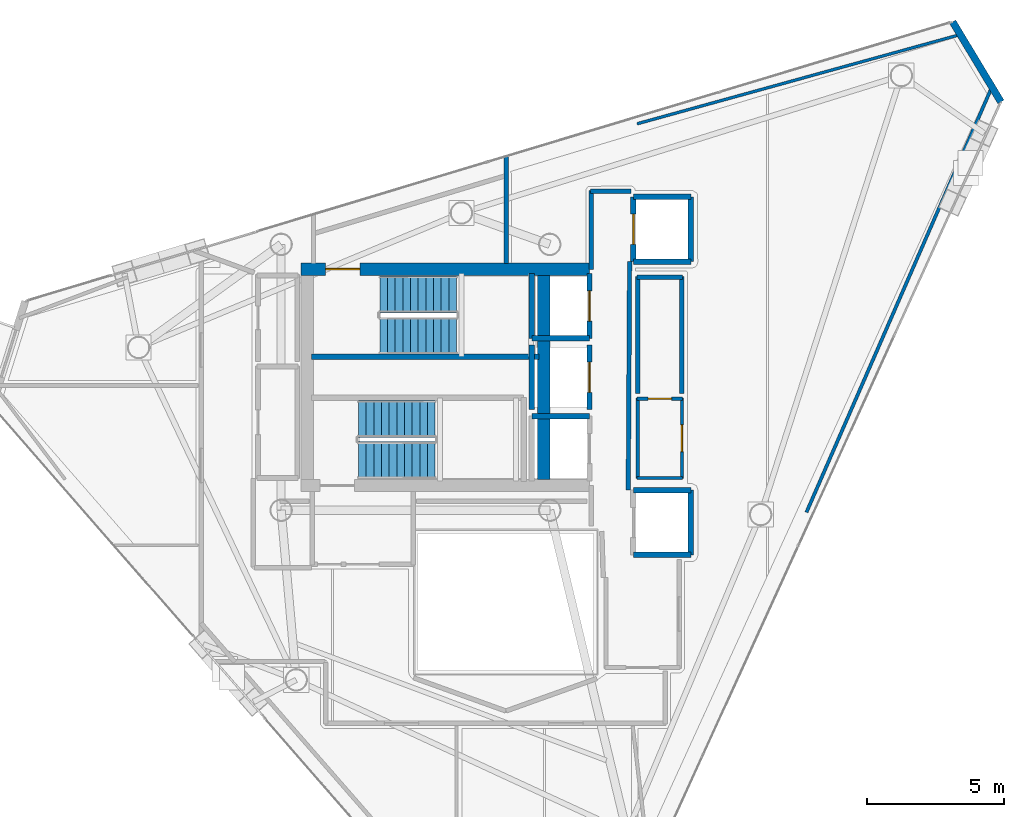
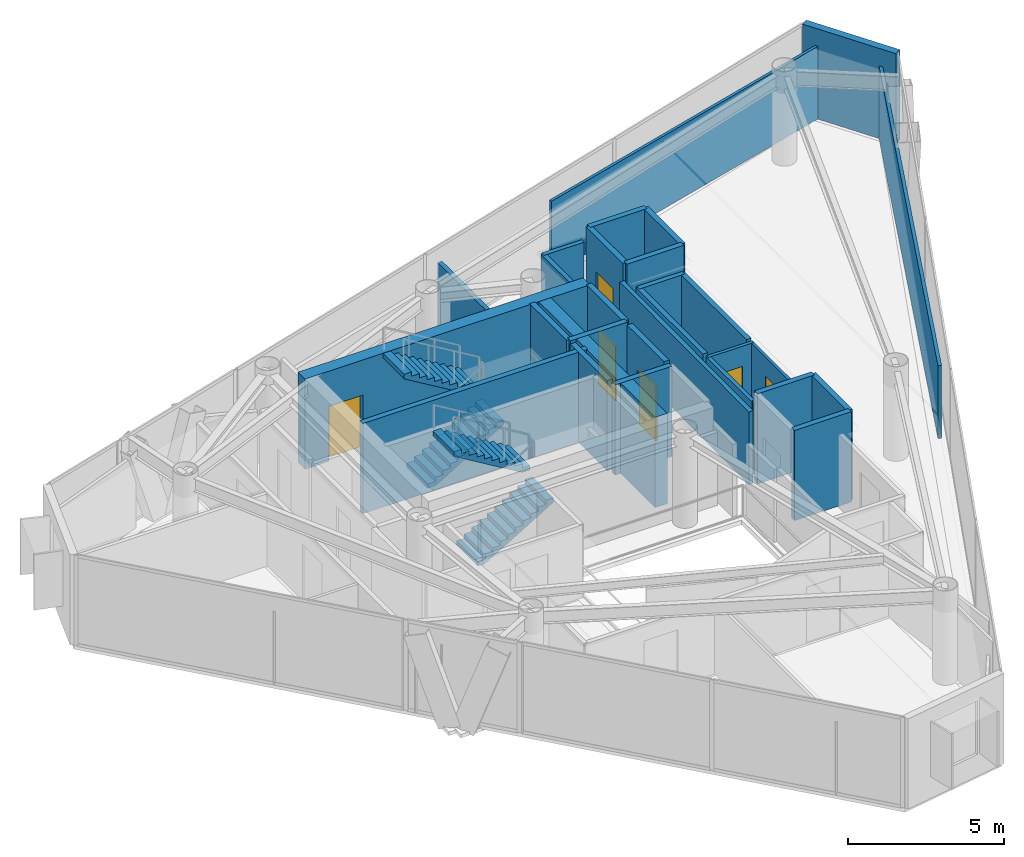
# One storey, part 17 of 19: 30 walls, 6 doors, 4 stair flights, 6 openings, 2 elements without a shape of their own.
"""IFC4 building model written with IfcOpenShell, lengths in metres."""

from ifc_helpers import new_model, si_unit, direction, frame, frame_2d, origin, place, context, subcontext, project, spatial, polyline, rectangle, outline, extrude, material, layer, layer_set, type_object, element, fill, aggregate, save


model = new_model("IFC4")

# Units and contexts
model_context = context("Model", 3, precision=1e-05, world=origin(), true_north=direction((0.0, 1.0)))
body_context = subcontext(model_context, "Body", "Model", "MODEL_VIEW")
ifc_project = project(units=[si_unit("LENGTHUNIT", "METRE"), si_unit("AREAUNIT", "SQUARE_METRE"), si_unit("VOLUMEUNIT", "CUBIC_METRE"), si_unit("PLANEANGLEUNIT", "RADIAN"), si_unit("MASSUNIT", "GRAM", prefix="KILO")], contexts=[model_context])

# Site, building, storey
site_placement = place(None, origin())
site = spatial("IfcSite", under=ifc_project, at=site_placement, CompositionType="ELEMENT")
building_placement = place(site_placement, origin())
building = spatial("IfcBuilding", under=site, at=building_placement, Name="Qianvela Tower", CompositionType="ELEMENT")
storey_placement = place(building_placement, frame((0.0, 0.0, 325.89990234375)))
storey = spatial("IfcBuildingStorey", under=building, at=storey_placement, Name="L84", CompositionType="ELEMENT", Elevation=325.89990234375)

# Wall
ifc_material_1 = material(Name="Terracotta Cladding on Concrete C40", Category="masonry")
ifc_layer_1 = layer(ifc_material_1, 0.260009765625)
ifc_layer_set_1 = layer_set([ifc_layer_1], Name="Terracotta Cladding on Concrete C40")
wall_type_1 = type_object("IfcWallType", Name="TERRACOTTA-WALL-260", PredefinedType="SOLIDWALL", material=ifc_layer_set_1)
wall_1_placement = place(storey_placement, frame((54.860595703125, 38.748046875, 0.0), z_axis=(0.0, 0.0, 1.0), x_axis=(-0.516431513538, 0.856328495278, 0.0)))
element("IfcWall", 1, at=wall_1_placement, inside=storey, type_object=wall_type_1, Name="L84 Terracotta Chamfer Facet Wall 1", PredefinedType="SOLIDWALL", context=body_context, shape_type="SweptSolid", body=[
    extrude(rectangle(XDim=3.410400390625, YDim=0.260009765625, at=frame_2d((1.705078125, 0.0))), origin(), (0.0, 0.0, 1.0), 3.52001953125),
])

# Wall, opening, door
ifc_material_2 = material(Name="Concrete C50", Category="concrete")
ifc_layer_2 = layer(ifc_material_2, 0.449951171875)
ifc_layer_set_2 = layer_set([ifc_layer_2], Name="Concrete C50")
wall_type_2 = type_object("IfcWallType", Name="WT-CORE-450", PredefinedType="SHEAR", material=ifc_layer_set_2)
wall_2_placement = place(storey_placement, frame((29.330078125, 32.64501953125, 0.0), z_axis=(0.0, 0.0, 1.0), x_axis=(1.0, 0.0, 0.0)))
wall_2 = element("IfcWall", 2, at=wall_2_placement, inside=storey, type_object=wall_type_2, Name="L84 North Core Shear Wall", PredefinedType="SHEAR", context=body_context, shape_type="SweptSolid", body=[
    extrude(rectangle(XDim=10.52001953125, YDim=0.449951171875, at=frame_2d((5.260009765625, 0.0))), origin(), (0.0, 0.0, 1.0), 3.52001953125),
])
opening_1_placement = place(wall_2_placement, frame((0.89501953125, 0.0, 0.0)))
opening_1 = element("IfcOpeningElement", 3, at=opening_1_placement, cuts=wall_2, Name="Opening D-ST1", PredefinedType="OPENING", context=body_context, shape_type="SweptSolid", body=[
    extrude(rectangle(XDim=1.25, YDim=2.14990234375, at=frame_2d((0.625, 1.074951171875))), frame((0.0, 0.23486328125, 0.0), z_axis=(0.0, -1.0, 0.0), x_axis=(1.0, 0.0, 0.0)), (0.0, 0.0, 1.0), 0.469970703125),
])
ifc_material_3 = material(Name="Galvanised Fire Steel Q355B", Category="steel")
door_type_1 = type_object("IfcDoorType", Name="DT-STAIR-FD90", OperationType="NOTDEFINED", PredefinedType="DOOR", material=ifc_material_3)
door_1_placement = place(opening_1_placement, origin())
door_1 = element("IfcDoor", 4, at=door_1_placement, inside=storey, type_object=door_type_1, Name="L84 Stair ST-1 Exit Door", OperationType="SINGLE_SWING_RIGHT", OverallHeight=2.14990234375, OverallWidth=1.25, PredefinedType="DOOR", context=body_context, shape_type="SweptSolid", body=[
    extrude(rectangle(XDim=1.25, YDim=2.14990234375, at=frame_2d((0.625, 1.074951171875))), frame((0.0, 0.02490234375, 0.0), z_axis=(0.0, -1.0, 0.0), x_axis=(1.0, 0.0, 0.0)), (0.0, 0.0, 1.0), 0.050048828125),
])
fill(opening_1, door_1)

# Walls
wall_3_placement = place(storey_placement, frame((38.179931640625, 24.97998046875, 0.0), z_axis=(0.0, 0.0, 1.0), x_axis=(0.0, 1.0, 0.0)))
element("IfcWall", 5, at=wall_3_placement, inside=storey, type_object=wall_type_2, Name="L84 East Spine Core Shear Wall", PredefinedType="SHEAR", context=body_context, shape_type="SweptSolid", body=[
    extrude(rectangle(XDim=7.43994140625, YDim=0.449951171875, at=frame_2d((3.719970703125, 0.0))), origin(), (0.0, 0.0, 1.0), 3.52001953125),
])
ifc_material_4 = material(Name="Fire-Rated Gypsum and Concrete Block", Category="concrete")
ifc_layer_3 = layer(ifc_material_4, 0.159912109375)
ifc_layer_set_3 = layer_set([ifc_layer_3], Name="Fire-Rated Gypsum and Concrete Block")
wall_type_3 = type_object("IfcWallType", Name="WT-CORR-160", PredefinedType="PARTITIONING", material=ifc_layer_set_3)
wall_4_placement = place(storey_placement, frame((36.819091796875, 36.783203125, 0.0), z_axis=(0.0, 0.0, 1.0), x_axis=(0.0, -1.0, 0.0)))
element("IfcWall", 6, at=wall_4_placement, inside=storey, type_object=wall_type_3, Name="L84 Partition 2", PredefinedType="PARTITIONING", context=body_context, shape_type="SweptSolid", body=[
    extrude(rectangle(XDim=3.92529296875, YDim=0.159912109375, at=frame_2d((1.962646484375, 0.0))), origin(), (0.0, 0.0, 1.0), 2.840087890625),
])
wall_5_placement = place(storey_placement, frame((39.910888671875, 32.639892578125, 0.0), z_axis=(0.0, 0.0, 1.0), x_axis=(0.0, 1.0, 0.0)))
element("IfcWall", 7, at=wall_5_placement, inside=storey, type_object=wall_type_3, Name="L84 Partition 12", PredefinedType="PARTITIONING", context=body_context, shape_type="SweptSolid", body=[
    extrude(rectangle(XDim=2.880126953125, YDim=0.159912109375, at=frame_2d((1.43994140625, 0.0))), origin(), (0.0, 0.0, 1.0), 2.840087890625),
])
wall_6_placement = place(storey_placement, frame((39.8798828125, 35.489013671875, 0.0), z_axis=(0.0, 0.0, 1.0), x_axis=(1.0, 0.0, 0.0)))
element("IfcWall", 8, at=wall_6_placement, inside=storey, type_object=wall_type_3, Name="L84 Partition 13", PredefinedType="PARTITIONING", context=body_context, shape_type="SweptSolid", body=[
    extrude(rectangle(XDim=1.480224609375, YDim=0.159912109375, at=frame_2d((0.740234375, 0.0))), origin(), (0.0, 0.0, 1.0), 2.840087890625),
])
wall_7_placement = place(storey_placement, frame((41.3134765625, 32.919921875, 0.0), z_axis=(0.0, 0.0, 1.0), x_axis=(-0.005942518022, -0.999982343084, 0.0)))
element("IfcWall", 9, at=wall_7_placement, inside=storey, type_object=wall_type_3, Name="L84 Partition 14 seg 2", PredefinedType="PARTITIONING", context=body_context, shape_type="SweptSolid", body=[
    extrude(rectangle(XDim=8.340087890625, YDim=0.159912109375, at=frame_2d((4.169921875, 0.0))), origin(), (0.0, 0.0, 1.0), 2.840087890625),
])
ifc_material_5 = material(Name="Lightweight Gypsum Room Partition")
ifc_layer_4 = layer(ifc_material_5, 0.10498046875)
ifc_layer_set_4 = layer_set([ifc_layer_4], Name="Lightweight Gypsum Room Partition")
wall_type_4 = type_object("IfcWallType", Name="WT-PART-105", PredefinedType="PARTITIONING", material=ifc_layer_set_4)
wall_8_placement = place(storey_placement, frame((43.25, 25.031005859375, 0.0), z_axis=(0.0, 0.0, 1.0), x_axis=(-1.0, 0.0, 0.0)))
element("IfcWall", 10, at=wall_8_placement, inside=storey, type_object=wall_type_4, Name="L84 Partition 19", PredefinedType="PARTITIONING", context=body_context, shape_type="SweptSolid", body=[
    extrude(rectangle(XDim=1.669921875, YDim=0.10498046875, at=frame_2d((0.8349609375, 0.0))), origin(), (0.0, 0.0, 1.0), 2.840087890625),
])

# Wall, opening, door
wall_9_placement = place(storey_placement, frame((43.218994140625, 27.949951171875, 0.0), z_axis=(0.0, 0.0, 1.0), x_axis=(0.0, -1.0, 0.0)))
wall_9 = element("IfcWall", 11, at=wall_9_placement, inside=storey, type_object=wall_type_4, Name="L84 Partition 22", PredefinedType="PARTITIONING", context=body_context, shape_type="SweptSolid", body=[
    extrude(rectangle(XDim=2.949951171875, YDim=0.10498046875, at=frame_2d((1.47509765625, 0.0))), origin(), (0.0, 0.0, 1.0), 2.840087890625),
])
opening_2_placement = place(wall_9_placement, frame((0.985107421875, 0.0, 0.0)))
opening_2 = element("IfcOpeningElement", 12, at=opening_2_placement, cuts=wall_9, Name="Opening D-RM1", PredefinedType="OPENING", context=body_context, shape_type="SweptSolid", body=[
    extrude(rectangle(XDim=0.97998046875, YDim=2.10009765625, at=frame_2d((0.489990234375, 1.050048828125))), frame((0.0, 0.0625, 0.0), z_axis=(0.0, -1.0, 0.0), x_axis=(1.0, 0.0, 0.0)), (0.0, 0.0, 1.0), 0.125),
])
ifc_material_6 = material(Name="Solid Core Acoustic Timber Fire Door", Category="wood")
door_type_2 = type_object("IfcDoorType", Name="DT-ROOM-FD60", OperationType="NOTDEFINED", PredefinedType="DOOR", material=ifc_material_6)
door_2_placement = place(opening_2_placement, origin())
door_2 = element("IfcDoor", 13, at=door_2_placement, inside=storey, type_object=door_type_2, Name="L84 Door L84 Cleaner Store to Print Copy Kiosk L84-04", OperationType="SINGLE_SWING_RIGHT", OverallHeight=2.10009765625, OverallWidth=0.97998046875, PredefinedType="DOOR", context=body_context, shape_type="SweptSolid", body=[
    extrude(rectangle(XDim=0.97998046875, YDim=2.10009765625, at=frame_2d((0.489990234375, 1.050048828125))), frame((0.0, 0.02490234375, 0.0), z_axis=(0.0, -1.0, 0.0), x_axis=(1.0, 0.0, 0.0)), (0.0, 0.0, 1.0), 0.050048828125),
])
fill(opening_2, door_2)

# Wall
wall_10_placement = place(storey_placement, frame((41.585205078125, 37.94873046875, 0.0), z_axis=(0.0, 0.0, 1.0), x_axis=(0.963958975168, 0.266050924059, 0.0)))
element("IfcWall", 14, at=wall_10_placement, inside=storey, type_object=wall_type_4, Name="L84 Partition 91 seg 1", PredefinedType="PARTITIONING", context=body_context, shape_type="SweptSolid", body=[
    extrude(rectangle(XDim=12.255126953125, YDim=0.10498046875, at=frame_2d((6.12744140625, 0.0))), origin(), (0.0, 0.0, 1.0), 2.840087890625),
])

# Wall, opening, door
ifc_material_7 = material(Name="Insulated Gypsum Stud Partition")
ifc_layer_5 = layer(ifc_material_7, 0.1201171875)
ifc_layer_set_5 = layer_set([ifc_layer_5], Name="Insulated Gypsum Stud Partition")
wall_type_5 = type_object("IfcWallType", Name="WT-PART-120", PredefinedType="PARTITIONING", material=ifc_layer_set_5)
wall_11_placement = place(storey_placement, frame((41.580078125, 27.9189453125, 0.0), z_axis=(0.0, 0.0, 1.0), x_axis=(1.0, 0.0, 0.0)))
wall_11 = element("IfcWall", 15, at=wall_11_placement, inside=storey, type_object=wall_type_5, Name="L84 Partition 21", PredefinedType="PARTITIONING", context=body_context, shape_type="SweptSolid", body=[
    extrude(rectangle(XDim=1.669921875, YDim=0.1201171875, at=frame_2d((0.8349609375, 0.0))), origin(), (0.0, 0.0, 1.0), 2.840087890625),
])
opening_3_placement = place(wall_11_placement, frame((0.405029296875, 0.0, 0.0)))
opening_3 = element("IfcOpeningElement", 16, at=opening_3_placement, cuts=wall_11, Name="Opening D-WC1", PredefinedType="OPENING", context=body_context, shape_type="SweptSolid", body=[
    extrude(rectangle(XDim=0.860107421875, YDim=2.050048828125, at=frame_2d((0.43017578125, 1.02490234375))), frame((0.0, 0.070068359375, 0.0), z_axis=(0.0, -1.0, 0.0), x_axis=(1.0, 0.0, 0.0)), (0.0, 0.0, 1.0), 0.14013671875),
])
ifc_material_8 = material(Name="Moisture-Sealed Acoustic Timber Door", Category="wood")
door_type_3 = type_object("IfcDoorType", Name="DT-WC-860", OperationType="NOTDEFINED", PredefinedType="DOOR", material=ifc_material_8)
door_3_placement = place(opening_3_placement, origin())
door_3 = element("IfcDoor", 17, at=door_3_placement, inside=storey, type_object=door_type_3, Name="L84 Door L84 Accessible WC to L84 Cleaner Store", OperationType="SINGLE_SWING_LEFT", OverallHeight=2.050048828125, OverallWidth=0.860107421875, PredefinedType="DOOR", context=body_context, shape_type="SweptSolid", body=[
    extrude(rectangle(XDim=0.860107421875, YDim=2.050048828125, at=frame_2d((0.43017578125, 1.02490234375))), frame((0.0, 0.02490234375, 0.0), z_axis=(0.0, -1.0, 0.0), x_axis=(1.0, 0.0, 0.0)), (0.0, 0.0, 1.0), 0.050048828125),
])
fill(opening_3, door_3)

# Walls
wall_12_placement = place(storey_placement, frame((54.539794921875, 39.31201171875, 0.0), z_axis=(0.0, 0.0, 1.0), x_axis=(-0.399713898307, -0.916639950853, 0.0)))
element("IfcWall", 18, at=wall_12_placement, inside=storey, type_object=wall_type_5, Name="L84 Partition 93 seg 1", PredefinedType="PARTITIONING", context=body_context, shape_type="SweptSolid", body=[
    extrude(rectangle(XDim=16.95068359375, YDim=0.1201171875, at=frame_2d((8.475341796875, 0.0))), origin(), (0.0, 0.0, 1.0), 2.840087890625),
])
ifc_material_9 = material(Name="Moisture-Resistant Acoustic Plumbing Wall")
ifc_layer_6 = layer(ifc_material_9, 0.175048828125)
ifc_layer_set_6 = layer_set([ifc_layer_6], Name="Moisture-Resistant Acoustic Plumbing Wall")
wall_type_6 = type_object("IfcWallType", Name="WT-PLUMB-175", PredefinedType="PLUMBINGWALL", material=ifc_layer_set_6)
wall_13_placement = place(storey_placement, frame((41.611083984375, 28.110107421875, 0.0), z_axis=(0.0, 0.0, 1.0), x_axis=(0.0, 1.0, 0.0)))
element("IfcWall", 19, at=wall_13_placement, inside=storey, type_object=wall_type_6, Name="L84 Partition 24", PredefinedType="PLUMBINGWALL", context=body_context, shape_type="SweptSolid", body=[
    extrude(rectangle(XDim=4.269775390625, YDim=0.175048828125, at=frame_2d((2.134765625, 0.0))), origin(), (0.0, 0.0, 1.0), 2.840087890625),
])
wall_14_placement = place(storey_placement, frame((41.580078125, 32.34912109375, 0.0), z_axis=(0.0, 0.0, 1.0), x_axis=(1.0, 0.0, 0.0)))
element("IfcWall", 20, at=wall_14_placement, inside=storey, type_object=wall_type_6, Name="L84 Partition 25", PredefinedType="PLUMBINGWALL", context=body_context, shape_type="SweptSolid", body=[
    extrude(rectangle(XDim=1.669921875, YDim=0.175048828125, at=frame_2d((0.8349609375, 0.0))), origin(), (0.0, 0.0, 1.0), 2.840087890625),
])
wall_15_placement = place(storey_placement, frame((43.218994140625, 32.3798828125, 0.0), z_axis=(0.0, 0.0, 1.0), x_axis=(0.0, -1.0, 0.0)))
element("IfcWall", 21, at=wall_15_placement, inside=storey, type_object=wall_type_6, Name="L84 Partition 26", PredefinedType="PLUMBINGWALL", context=body_context, shape_type="SweptSolid", body=[
    extrude(rectangle(XDim=4.269775390625, YDim=0.175048828125, at=frame_2d((2.134765625, 0.0))), origin(), (0.0, 0.0, 1.0), 2.840087890625),
])
ifc_material_10 = material(Name="Acoustic Double Gypsum Stud Partition")
ifc_layer_7 = layer(ifc_material_10, 0.139892578125)
ifc_layer_set_7 = layer_set([ifc_layer_7], Name="Acoustic Double Gypsum Stud Partition")
wall_type_7 = type_object("IfcWallType", Name="WT-ROOM-140", PredefinedType="PARTITIONING", material=ifc_layer_set_7)
wall_16_placement = place(storey_placement, frame((41.611083984375, 25.0, 0.0), z_axis=(0.0, 0.0, 1.0), x_axis=(0.0, 1.0, 0.0)))
element("IfcWall", 22, at=wall_16_placement, inside=storey, type_object=wall_type_7, Name="L84 Partition 20", PredefinedType="PARTITIONING", context=body_context, shape_type="SweptSolid", body=[
    extrude(rectangle(XDim=2.949951171875, YDim=0.139892578125, at=frame_2d((1.47509765625, 0.0))), origin(), (0.0, 0.0, 1.0), 2.840087890625),
])
ifc_material_11 = material(Name="Concrete C50", Category="concrete")
ifc_layer_8 = layer(ifc_material_11, 0.199951171875)
ifc_layer_set_8 = layer_set([ifc_layer_8], Name="Concrete C50")
wall_type_8 = type_object("IfcWallType", Name="WT-SHAFT-200", PredefinedType="SOLIDWALL", material=ifc_layer_set_8)
wall_17_placement = place(storey_placement, frame((29.699951171875, 29.449951171875, 0.0), z_axis=(0.0, 0.0, 1.0), x_axis=(1.0, 0.0, 0.0)))
element("IfcWall", 23, at=wall_17_placement, inside=storey, type_object=wall_type_8, Name="L84 Stair ST-1 South Wall", PredefinedType="SOLIDWALL", context=body_context, shape_type="SweptSolid", body=[
    extrude(rectangle(XDim=8.300048828125, YDim=0.199951171875, at=frame_2d((4.14990234375, 0.0))), origin(), (0.0, 0.0, 1.0), 3.52001953125),
])

# Wall, opening, door
wall_18_placement = place(storey_placement, frame((39.85009765625, 30.1201171875, 0.0), z_axis=(0.0, 0.0, 1.0), x_axis=(0.0, 1.0, 0.0)))
wall_18 = element("IfcWall", 24, at=wall_18_placement, inside=storey, type_object=wall_type_8, Name="L84 Lift FL-1 E Shaft Wall", PredefinedType="SOLIDWALL", context=body_context, shape_type="SweptSolid", body=[
    extrude(rectangle(XDim=2.35986328125, YDim=0.199951171875, at=frame_2d((1.179931640625, 0.0))), origin(), (0.0, 0.0, 1.0), 3.52001953125),
])
opening_4_placement = place(wall_18_placement, frame((0.6298828125, 0.0, 0.0)))
opening_4 = element("IfcOpeningElement", 25, at=opening_4_placement, cuts=wall_18, Name="Opening LD-01", PredefinedType="OPENING", context=body_context, shape_type="SweptSolid", body=[
    extrude(rectangle(XDim=1.10009765625, YDim=2.14990234375, at=frame_2d((0.550048828125, 1.074951171875))), frame((0.0, 0.10986328125, 0.0), z_axis=(0.0, -1.0, 0.0), x_axis=(1.0, 0.0, 0.0)), (0.0, 0.0, 1.0), 0.219970703125),
])
ifc_material_12 = material(Name="Brushed Stainless Steel Lift Landing Door", Category="steel")
door_type_4 = type_object("IfcDoorType", Name="DT-LIFT-SLIDE-1100", OperationType="SLIDING_TO_LEFT", PredefinedType="DOOR", material=ifc_material_12)
door_4_placement = place(opening_4_placement, origin())
door_4 = element("IfcDoor", 26, at=door_4_placement, inside=storey, type_object=door_type_4, Name="L84 Lift FL-1 Sliding Landing Door", OperationType="SLIDING_TO_LEFT", OverallHeight=2.14990234375, OverallWidth=1.10009765625, PredefinedType="DOOR", context=body_context, shape_type="SweptSolid", body=[
    extrude(rectangle(XDim=1.10009765625, YDim=2.14990234375, at=frame_2d((0.550048828125, 1.074951171875))), frame((0.0, 0.02490234375, 0.0), z_axis=(0.0, -1.0, 0.0), x_axis=(1.0, 0.0, 0.0)), (0.0, 0.0, 1.0), 0.050048828125),
])
fill(opening_4, door_4)

# Walls
wall_19_placement = place(storey_placement, frame((37.75, 30.1201171875, 0.0), z_axis=(0.0, 0.0, 1.0), x_axis=(0.0, 1.0, 0.0)))
element("IfcWall", 27, at=wall_19_placement, inside=storey, type_object=wall_type_8, Name="L84 Lift FL-1 W Shaft Wall", PredefinedType="SOLIDWALL", context=body_context, shape_type="SweptSolid", body=[
    extrude(rectangle(XDim=2.35986328125, YDim=0.199951171875, at=frame_2d((1.179931640625, 0.0))), origin(), (0.0, 0.0, 1.0), 3.52001953125),
])
for number, where, z_axis, x_axis, name in (
    (28, (37.75, 30.1201171875, 0.0), (0.0, 0.0, 1.0), (1.0, 0.0, 0.0), "L84 Lift FL-1 S Shaft Wall"),
    (29, (37.75, 27.280029296875, 0.0), (0.0, 0.0, 1.0), (1.0, 0.0, 0.0), "L84 Lift FL-2 N Shaft Wall"),
):
    element("IfcWall", number, at=place(storey_placement, frame(where, z_axis=z_axis, x_axis=x_axis)), inside=storey, type_object=wall_type_8, Name=name, PredefinedType="SOLIDWALL", context=body_context, shape_type="SweptSolid", body=[
        extrude(rectangle(XDim=2.10009765625, YDim=0.199951171875, at=frame_2d((1.050048828125, 0.0))), origin(), (0.0, 0.0, 1.0), 3.52001953125),
    ])

# Wall, opening, door
wall_20_placement = place(storey_placement, frame((39.85009765625, 27.52001953125, 0.0), z_axis=(0.0, 0.0, 1.0), x_axis=(0.0, 1.0, 0.0)))
wall_20 = element("IfcWall", 30, at=wall_20_placement, inside=storey, type_object=wall_type_8, Name="L84 Lift PL-H1 E Shaft Wall", PredefinedType="SOLIDWALL", context=body_context, shape_type="SweptSolid", body=[
    extrude(rectangle(XDim=2.35986328125, YDim=0.199951171875, at=frame_2d((1.179931640625, 0.0))), origin(), (0.0, 0.0, 1.0), 3.52001953125),
])
opening_5_placement = place(wall_20_placement, frame((0.6298828125, 0.0, 0.0)))
opening_5 = element("IfcOpeningElement", 31, at=opening_5_placement, cuts=wall_20, Name="Opening LD-01", PredefinedType="OPENING", context=body_context, shape_type="SweptSolid", body=[
    extrude(rectangle(XDim=1.10009765625, YDim=2.14990234375, at=frame_2d((0.550048828125, 1.074951171875))), frame((0.0, 0.10986328125, 0.0), z_axis=(0.0, -1.0, 0.0), x_axis=(1.0, 0.0, 0.0)), (0.0, 0.0, 1.0), 0.219970703125),
])
door_5_placement = place(opening_5_placement, origin())
door_5 = element("IfcDoor", 32, at=door_5_placement, inside=storey, type_object=door_type_4, Name="L84 Lift PL-H1 Sliding Landing Door", OperationType="SLIDING_TO_LEFT", OverallHeight=2.14990234375, OverallWidth=1.10009765625, PredefinedType="DOOR", context=body_context, shape_type="SweptSolid", body=[
    extrude(rectangle(XDim=1.10009765625, YDim=2.14990234375, at=frame_2d((0.550048828125, 1.074951171875))), frame((0.0, 0.02490234375, 0.0), z_axis=(0.0, -1.0, 0.0), x_axis=(1.0, 0.0, 0.0)), (0.0, 0.0, 1.0), 0.050048828125),
])
fill(opening_5, door_5)

# Walls
wall_21_placement = place(storey_placement, frame((37.75, 27.52001953125, 0.0), z_axis=(0.0, 0.0, 1.0), x_axis=(0.0, 1.0, 0.0)))
element("IfcWall", 33, at=wall_21_placement, inside=storey, type_object=wall_type_8, Name="L84 Lift PL-H1 W Shaft Wall", PredefinedType="SOLIDWALL", context=body_context, shape_type="SweptSolid", body=[
    extrude(rectangle(XDim=2.35986328125, YDim=0.199951171875, at=frame_2d((1.179931640625, 0.0))), origin(), (0.0, 0.0, 1.0), 3.52001953125),
])
wall_22_placement = place(storey_placement, frame((43.550048828125, 22.219970703125, 0.0), z_axis=(0.0, 0.0, 1.0), x_axis=(0.0, 1.0, 0.0)))
element("IfcWall", 34, at=wall_22_placement, inside=storey, type_object=wall_type_8, Name="L84 Lift PL-H2 E Shaft Wall", PredefinedType="SOLIDWALL", context=body_context, shape_type="SweptSolid", body=[
    extrude(rectangle(XDim=2.360107421875, YDim=0.199951171875, at=frame_2d((1.18017578125, 0.0))), origin(), (0.0, 0.0, 1.0), 3.52001953125),
])
for number, where, z_axis, x_axis, name in (
    (35, (41.449951171875, 24.580078125, 0.0), (0.0, 0.0, 1.0), (1.0, 0.0, 0.0), "L84 Lift PL-H2 N Shaft Wall"),
    (36, (41.449951171875, 22.219970703125, 0.0), (0.0, 0.0, 1.0), (1.0, 0.0, 0.0), "L84 Lift PL-H2 S Shaft Wall"),
):
    element("IfcWall", number, at=place(storey_placement, frame(where, z_axis=z_axis, x_axis=x_axis)), inside=storey, type_object=wall_type_8, Name=name, PredefinedType="SOLIDWALL", context=body_context, shape_type="SweptSolid", body=[
        extrude(rectangle(XDim=2.10009765625, YDim=0.199951171875, at=frame_2d((1.050048828125, 0.0))), origin(), (0.0, 0.0, 1.0), 3.52001953125),
    ])
wall_23_placement = place(storey_placement, frame((43.550048828125, 32.919921875, 0.0), z_axis=(0.0, 0.0, 1.0), x_axis=(0.0, 1.0, 0.0)))
element("IfcWall", 37, at=wall_23_placement, inside=storey, type_object=wall_type_8, Name="L84 Lift PL-H3 E Shaft Wall", PredefinedType="SOLIDWALL", context=body_context, shape_type="SweptSolid", body=[
    extrude(rectangle(XDim=2.360107421875, YDim=0.199951171875, at=frame_2d((1.18017578125, 0.0))), origin(), (0.0, 0.0, 1.0), 3.52001953125),
])

# Wall, opening, door
wall_24_placement = place(storey_placement, frame((41.449951171875, 32.919921875, 0.0), z_axis=(0.0, 0.0, 1.0), x_axis=(0.0, 1.0, 0.0)))
wall_24 = element("IfcWall", 38, at=wall_24_placement, inside=storey, type_object=wall_type_8, Name="L84 Lift PL-H3 W Shaft Wall", PredefinedType="SOLIDWALL", context=body_context, shape_type="SweptSolid", body=[
    extrude(rectangle(XDim=2.360107421875, YDim=0.199951171875, at=frame_2d((1.18017578125, 0.0))), origin(), (0.0, 0.0, 1.0), 3.52001953125),
])
opening_6_placement = place(wall_24_placement, frame((0.6298828125, 0.0, 0.0)))
opening_6 = element("IfcOpeningElement", 39, at=opening_6_placement, cuts=wall_24, Name="Opening LD-01", PredefinedType="OPENING", context=body_context, shape_type="SweptSolid", body=[
    extrude(rectangle(XDim=1.10009765625, YDim=2.14990234375, at=frame_2d((0.550048828125, 1.074951171875))), frame((0.0, 0.10986328125, 0.0), z_axis=(0.0, -1.0, 0.0), x_axis=(1.0, 0.0, 0.0)), (0.0, 0.0, 1.0), 0.219970703125),
])
door_6_placement = place(opening_6_placement, origin())
door_6 = element("IfcDoor", 40, at=door_6_placement, inside=storey, type_object=door_type_4, Name="L84 Lift PL-H3 Sliding Landing Door", OperationType="SLIDING_TO_LEFT", OverallHeight=2.14990234375, OverallWidth=1.10009765625, PredefinedType="DOOR", context=body_context, shape_type="SweptSolid", body=[
    extrude(rectangle(XDim=1.10009765625, YDim=2.14990234375, at=frame_2d((0.550048828125, 1.074951171875))), frame((0.0, 0.02490234375, 0.0), z_axis=(0.0, -1.0, 0.0), x_axis=(1.0, 0.0, 0.0)), (0.0, 0.0, 1.0), 0.050048828125),
])
fill(opening_6, door_6)

# Walls
for number, where, z_axis, x_axis, name in (
    (41, (41.449951171875, 35.280029296875, 0.0), (0.0, 0.0, 1.0), (1.0, 0.0, 0.0), "L84 Lift PL-H3 N Shaft Wall"),
    (42, (41.449951171875, 32.919921875, 0.0), (0.0, 0.0, 1.0), (1.0, 0.0, 0.0), "L84 Lift PL-H3 S Shaft Wall"),
):
    element("IfcWall", number, at=place(storey_placement, frame(where, z_axis=z_axis, x_axis=x_axis)), inside=storey, type_object=wall_type_8, Name=name, PredefinedType="SOLIDWALL", context=body_context, shape_type="SweptSolid", body=[
        extrude(rectangle(XDim=2.10009765625, YDim=0.199951171875, at=frame_2d((1.050048828125, 0.0))), origin(), (0.0, 0.0, 1.0), 3.52001953125),
    ])

# Stair, stair flights
ifc_material_13 = material(Name="Concrete C40", Category="concrete")
stair_type = type_object("IfcStairType", Name="ST-DOGLEG-1350-R168-N22", PredefinedType="HALF_TURN_STAIR", material=ifc_material_13)
stair_1_placement = place(storey_placement, origin())
stair_1 = element("IfcStair", 43, at=stair_1_placement, inside=storey, type_object=stair_type, Name="L84 Smoke-Proof Core Stair ST-1", PredefinedType="HALF_TURN_STAIR")
ifc_material_14 = material(Name="Concrete C40", Category="concrete")
stair_flight_type = type_object("IfcStairFlightType", Name="STF-STRAIGHT-R168-P11", PredefinedType="STRAIGHT", material=ifc_material_14)
stair_flight_1_placement = place(storey_placement, frame((32.199951171875, 30.215087890625, 0.0), z_axis=(0.0, 0.0, 1.0), x_axis=(1.0, 0.0, 0.0)))
stair_flight_1 = element("IfcStairFlight", 44, at=stair_flight_1_placement, type_object=stair_flight_type, Name="ST-1 flight 1", NumberOfRisers=11, NumberOfTreads=10, PredefinedType="STRAIGHT", RiserHeight=0.168181818, TreadLength=0.28, context=body_context, shape_type="SweptSolid", body=[
    extrude(outline(polyline([(0.0, 0.0), (0.0, 0.168212890625), (0.280029296875, 0.168212890625), (0.280029296875, 0.33642578125), (0.56005859375, 0.33642578125), (0.56005859375, 0.504638671875), (0.840087890625, 0.504638671875), (0.840087890625, 0.672607421875), (1.1201171875, 0.672607421875), (1.1201171875, 0.8408203125), (1.39990234375, 0.8408203125), (1.39990234375, 1.009033203125), (1.679931640625, 1.009033203125), (1.679931640625, 1.17724609375), (1.9599609375, 1.17724609375), (1.9599609375, 1.345458984375), (2.239990234375, 1.345458984375), (2.239990234375, 1.513671875), (2.52001953125, 1.513671875), (2.52001953125, 1.681884765625), (2.800048828125, 1.681884765625), (2.800048828125, 1.85009765625), (2.800048828125, 1.5068359375), (0.291015625, 0.0), (0.0, 0.0)])), frame((0.0, 0.675048828125, 0.0), z_axis=(0.0, -1.0, 0.0), x_axis=(1.0, 0.0, 0.0)), (0.0, 0.0, 1.0), 1.35009765625),
])
stair_flight_2_placement = place(storey_placement, frame((35.0, 31.72509765625, 1.85009765625), z_axis=(0.0, 0.0, 1.0), x_axis=(-1.0, 0.0, 0.0)))
stair_flight_2 = element("IfcStairFlight", 45, at=stair_flight_2_placement, type_object=stair_flight_type, Name="ST-1 flight 2", NumberOfRisers=11, NumberOfTreads=10, PredefinedType="STRAIGHT", RiserHeight=0.168181818, TreadLength=0.28, context=body_context, shape_type="SweptSolid", body=[
    extrude(outline(polyline([(0.0, 0.0), (0.0, 0.168212890625), (0.280029296875, 0.168212890625), (0.280029296875, 0.33642578125), (0.56005859375, 0.33642578125), (0.56005859375, 0.504638671875), (0.840087890625, 0.504638671875), (0.840087890625, 0.672607421875), (1.1201171875, 0.672607421875), (1.1201171875, 0.8408203125), (1.39990234375, 0.8408203125), (1.39990234375, 1.009033203125), (1.679931640625, 1.009033203125), (1.679931640625, 1.17724609375), (1.9599609375, 1.17724609375), (1.9599609375, 1.345458984375), (2.239990234375, 1.345458984375), (2.239990234375, 1.513671875), (2.52001953125, 1.513671875), (2.52001953125, 1.681884765625), (2.800048828125, 1.681884765625), (2.800048828125, 1.85009765625), (2.800048828125, 1.5068359375), (0.291015625, 0.0), (0.0, 0.0)])), frame((0.0, 0.675048828125, 0.0), z_axis=(0.0, -1.0, 0.0), x_axis=(1.0, 0.0, 0.0)), (0.0, 0.0, 1.0), 1.35009765625),
])
aggregate(stair_1, [stair_flight_1, stair_flight_2])

stair_2_placement = place(storey_placement, origin())
stair_2 = element("IfcStair", 46, at=stair_2_placement, inside=storey, type_object=stair_type, Name="L84 Smoke-Proof Core Stair ST-2", PredefinedType="HALF_TURN_STAIR")
stair_flight_3_placement = place(storey_placement, frame((31.419921875, 25.675048828125, 0.0), z_axis=(0.0, 0.0, 1.0), x_axis=(1.0, 0.0, 0.0)))
stair_flight_3 = element("IfcStairFlight", 47, at=stair_flight_3_placement, type_object=stair_flight_type, Name="ST-2 flight 1", NumberOfRisers=11, NumberOfTreads=10, PredefinedType="STRAIGHT", RiserHeight=0.168181818, TreadLength=0.28, context=body_context, shape_type="SweptSolid", body=[
    extrude(outline(polyline([(0.0, 0.0), (0.0, 0.168212890625), (0.280029296875, 0.168212890625), (0.280029296875, 0.33642578125), (0.56005859375, 0.33642578125), (0.56005859375, 0.504638671875), (0.840087890625, 0.504638671875), (0.840087890625, 0.672607421875), (1.1201171875, 0.672607421875), (1.1201171875, 0.8408203125), (1.39990234375, 0.8408203125), (1.39990234375, 1.009033203125), (1.679931640625, 1.009033203125), (1.679931640625, 1.17724609375), (1.9599609375, 1.17724609375), (1.9599609375, 1.345458984375), (2.239990234375, 1.345458984375), (2.239990234375, 1.513671875), (2.52001953125, 1.513671875), (2.52001953125, 1.681884765625), (2.800048828125, 1.681884765625), (2.800048828125, 1.85009765625), (2.800048828125, 1.5068359375), (0.291015625, 0.0), (0.0, 0.0)])), frame((0.0, 0.675048828125, 0.0), z_axis=(0.0, -1.0, 0.0), x_axis=(1.0, 0.0, 0.0)), (0.0, 0.0, 1.0), 1.35009765625),
])
stair_flight_4_placement = place(storey_placement, frame((34.219970703125, 27.18505859375, 1.85009765625), z_axis=(0.0, 0.0, 1.0), x_axis=(-1.0, 0.0, 0.0)))
stair_flight_4 = element("IfcStairFlight", 48, at=stair_flight_4_placement, type_object=stair_flight_type, Name="ST-2 flight 2", NumberOfRisers=11, NumberOfTreads=10, PredefinedType="STRAIGHT", RiserHeight=0.168181818, TreadLength=0.28, context=body_context, shape_type="SweptSolid", body=[
    extrude(outline(polyline([(0.0, 0.0), (0.0, 0.168212890625), (0.280029296875, 0.168212890625), (0.280029296875, 0.33642578125), (0.56005859375, 0.33642578125), (0.56005859375, 0.504638671875), (0.840087890625, 0.504638671875), (0.840087890625, 0.672607421875), (1.1201171875, 0.672607421875), (1.1201171875, 0.8408203125), (1.39990234375, 0.8408203125), (1.39990234375, 1.009033203125), (1.679931640625, 1.009033203125), (1.679931640625, 1.17724609375), (1.9599609375, 1.17724609375), (1.9599609375, 1.345458984375), (2.239990234375, 1.345458984375), (2.239990234375, 1.513671875), (2.52001953125, 1.513671875), (2.52001953125, 1.681884765625), (2.800048828125, 1.681884765625), (2.800048828125, 1.85009765625), (2.800048828125, 1.5068359375), (0.291015625, 0.0), (0.0, 0.0)])), frame((0.0, 0.675048828125, 0.0), z_axis=(0.0, -1.0, 0.0), x_axis=(1.0, 0.0, 0.0)), (0.0, 0.0, 1.0), 1.35009765625),
])
aggregate(stair_2, [stair_flight_3, stair_flight_4])

save(model, "model.ifc")
